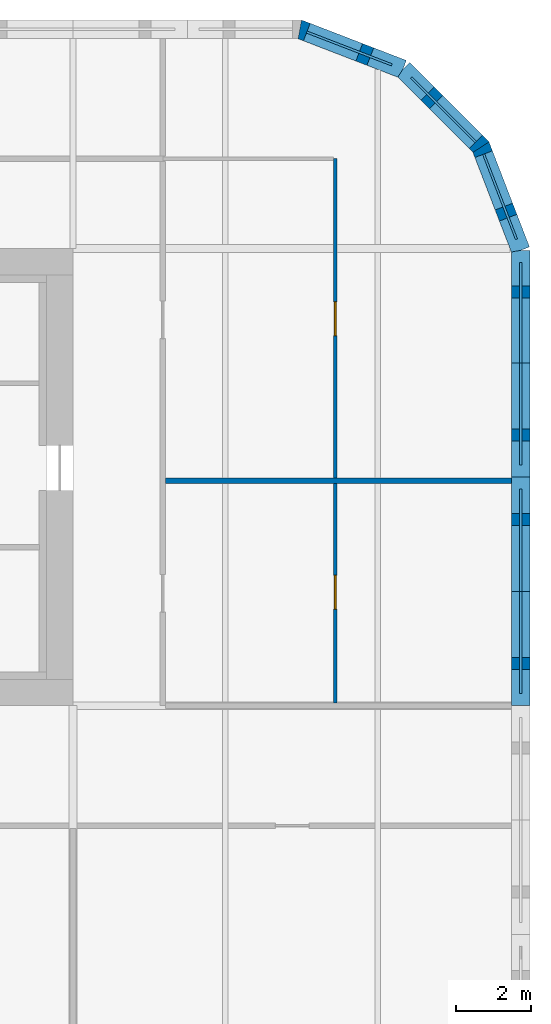
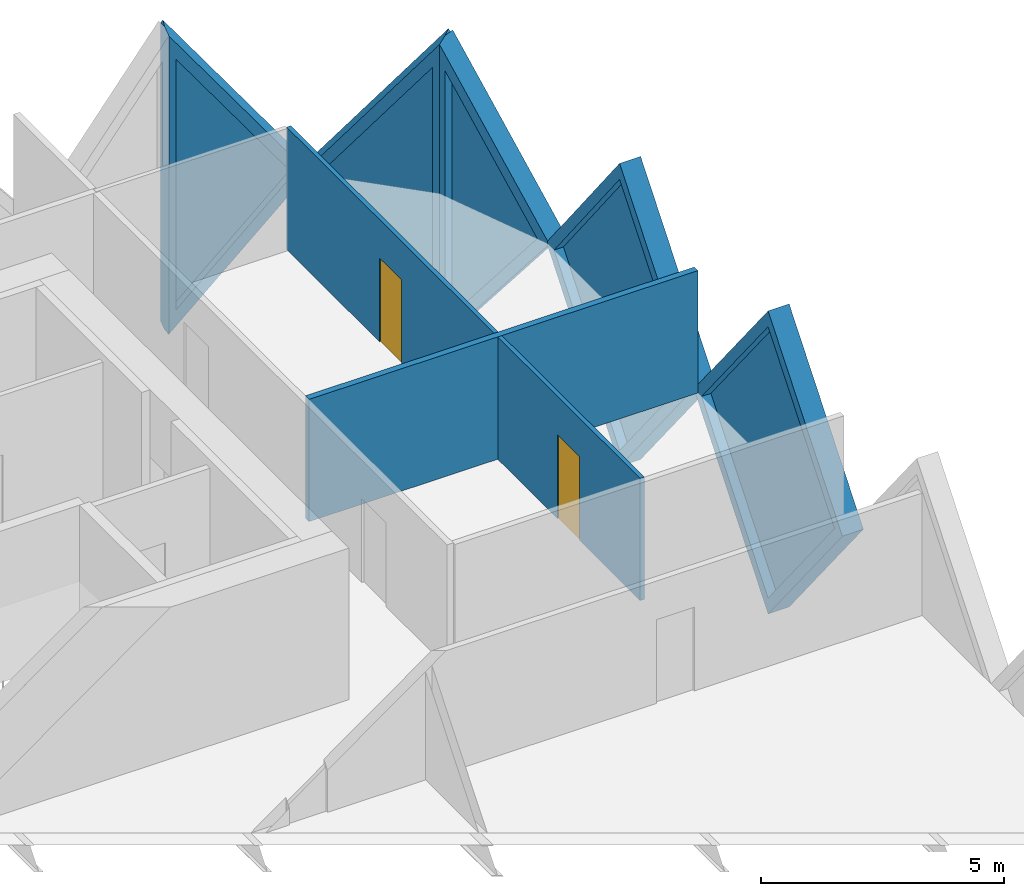
# One storey, part 15 of 18: 8 walls, 5 plates, 2 doors, 7 openings.
"""IFC4 building model written with IfcOpenShell, lengths in metres."""

from ifc_helpers import new_model, si_unit, direction, frame, frame_2d, origin, place, context, subcontext, project, spatial, polyline, rectangle, outline, extrude, faceted_brep, source, transform, mapped, material, layer, layer_set, type_object, element, fill, save


model = new_model("IFC4")

# Units and contexts
model_context = context("Model", 3, precision=1e-05, world=origin(), true_north=direction((0.0, 1.0)))
body_context = subcontext(model_context, "Body", "Model", "MODEL_VIEW")
ifc_project = project(units=[si_unit("LENGTHUNIT", "METRE"), si_unit("AREAUNIT", "SQUARE_METRE"), si_unit("VOLUMEUNIT", "CUBIC_METRE"), si_unit("PLANEANGLEUNIT", "RADIAN"), si_unit("MASSUNIT", "GRAM", prefix="KILO")], contexts=[model_context])

# Site, building, storey
site_placement = place(None, origin())
site = spatial("IfcSite", under=ifc_project, at=site_placement, CompositionType="ELEMENT")
building_placement = place(site_placement, origin())
building = spatial("IfcBuilding", under=site, at=building_placement, Name="Tessera Gate Towers", CompositionType="ELEMENT")
storey_placement = place(building_placement, frame((0.0, 0.0, 41.0)))
storey = spatial("IfcBuildingStorey", under=building, at=storey_placement, Name="L09", CompositionType="ELEMENT", Elevation=41.0)

# Wall, opening, door
ifc_material_1 = material(Name="Glass", Category="glass")
ifc_layer_1 = layer(ifc_material_1, 0.10009765625)
ifc_layer_set_1 = layer_set([ifc_layer_1], Name="GLAZED PARTITION 100")
wall_type_1 = type_object("IfcWallType", Name="GLAZED PARTITION 100", PredefinedType="PARTITIONING", material=ifc_layer_set_1)
wall_1_placement = place(storey_placement, frame((129.0, 42.52392578125, 0.0), z_axis=(0.0, 0.0, 1.0), x_axis=(0.0, -1.0, 0.0)))
wall_1 = element("IfcWall", 1, at=wall_1_placement, inside=storey, type_object=wall_type_1, Name="T2-L09-PW-016", PredefinedType="PARTITIONING", context=body_context, shape_type="SweptSolid", body=[
    extrude(rectangle(XDim=5.847900390625, YDim=0.10009765625, at=frame_2d((2.923828125, 0.0))), origin(), (0.0, 0.0, 1.0), 3.06689453125),
])
shared_shape_1 = source(origin(), body_context, "Body", "SweptSolid", [
    extrude(rectangle(XDim=0.89990234375, YDim=2.10009765625, at=frame_2d((0.449951171875, 1.050048828125))), frame((0.0, 0.06005859375, 0.0), z_axis=(0.0, -1.0, 0.0), x_axis=(1.0, 0.0, 0.0)), (0.0, 0.0, 1.0), 0.1201171875),
])
opening_1_placement = place(wall_1_placement, frame((2.447998046875, 0.0, 0.0)))
opening_1 = element("IfcOpeningElement", 2, at=opening_1_placement, cuts=wall_1, Name="Opening D690-B04-02", PredefinedType="OPENING", context=body_context, shape_type="MappedRepresentation", body=[
    mapped(shared_shape_1, transform((0.0, 0.0, 0.0), scale=1.0)),
])
ifc_material_2 = material(Name="Glass in aluminium frame", Category="aluminium")
door_type = type_object("IfcDoorType", Name="GLAZED DOOR 900 NOT RATED", OperationType="NOTDEFINED", PredefinedType="DOOR", material=ifc_material_2)
shared_shape_2 = source(origin(), body_context, "Body", "SweptSolid", [
    extrude(rectangle(XDim=0.89990234375, YDim=2.10009765625, at=frame_2d((0.449951171875, 1.050048828125))), frame((0.0, 0.02490234375, 0.0), z_axis=(0.0, -1.0, 0.0), x_axis=(1.0, 0.0, 0.0)), (0.0, 0.0, 1.0), 0.050048828125),
])
door_1_placement = place(opening_1_placement, origin())
door_1 = element("IfcDoor", 3, at=door_1_placement, inside=storey, type_object=door_type, Name="T2-L09-PD-007", OperationType="SINGLE_SWING_RIGHT", OverallHeight=2.10009765625, OverallWidth=0.89990234375, PredefinedType="DOOR", context=body_context, shape_type="MappedRepresentation", body=[
    mapped(shared_shape_2, transform((0.0, 0.0, 0.0), scale=1.0)),
])
fill(opening_1, door_1)

wall_2_placement = place(storey_placement, frame((129.0, 51.199951171875, 0.0), z_axis=(0.0, 0.0, 1.0), x_axis=(0.0, -1.0, 0.0)))
wall_2 = element("IfcWall", 4, at=wall_2_placement, inside=storey, type_object=wall_type_1, Name="T2-L09-PW-018", PredefinedType="PARTITIONING", context=body_context, shape_type="SweptSolid", body=[
    extrude(rectangle(XDim=8.52392578125, YDim=0.10009765625, at=frame_2d((4.261962890625, 0.0))), origin(), (0.0, 0.0, 1.0), 3.06689453125),
])
opening_2_placement = place(wall_2_placement, frame((3.823974609375, 0.0, 0.0)))
opening_2 = element("IfcOpeningElement", 5, at=opening_2_placement, cuts=wall_2, Name="Opening D690-B04-03", PredefinedType="OPENING", context=body_context, shape_type="MappedRepresentation", body=[
    mapped(shared_shape_1, transform((0.0, 0.0, 0.0), scale=1.0)),
])
door_2_placement = place(opening_2_placement, origin())
door_2 = element("IfcDoor", 6, at=door_2_placement, inside=storey, type_object=door_type, Name="T2-L09-PD-015", OperationType="SINGLE_SWING_RIGHT", OverallHeight=2.10009765625, OverallWidth=0.89990234375, PredefinedType="DOOR", context=body_context, shape_type="MappedRepresentation", body=[
    mapped(shared_shape_2, transform((0.0, 0.0, 0.0), scale=1.0)),
])
fill(opening_2, door_2)

# Wall
ifc_material_3 = material(Name="Gypsum board on steel studs, mineral wool", Category="steel")
ifc_layer_2 = layer(ifc_material_3, 0.14990234375)
ifc_layer_set_2 = layer_set([ifc_layer_2], Name="TENANCY WALL 150")
wall_type_2 = type_object("IfcWallType", Name="TENANCY WALL 150", PredefinedType="PARTITIONING", material=ifc_layer_set_2)
wall_3_placement = place(storey_placement, frame((124.47607421875, 42.60009765625, 0.0), z_axis=(0.0, 0.0, 1.0), x_axis=(1.0, 0.0, 0.0)))
element("IfcWall", 7, at=wall_3_placement, inside=storey, type_object=wall_type_2, Name="T2-L09-PW-017", PredefinedType="PARTITIONING", context=body_context, shape_type="SweptSolid", body=[
    extrude(rectangle(XDim=9.223876953125, YDim=0.14990234375, at=frame_2d((4.61181640625, 0.0))), origin(), (0.0, 0.0, 1.0), 3.06689453125),
])

# Wall, opening, plate
ifc_material_4 = material(Name="Precast concrete C60/75 white", Category="concrete")
ifc_layer_3 = layer(ifc_material_4, 0.5)
ifc_layer_set_3 = layer_set([ifc_layer_3], Name="TS1 tessera")
wall_type_3 = type_object("IfcWallType", Name="TS1 tessera", PredefinedType="SOLIDWALL", material=ifc_layer_set_3)
shared_shape_3 = source(origin(), body_context, "Body", "Brep", [
    faceted_brep([(3.050048828125, -0.25, 0.0), (6.099853515625, -0.25, 3.7998046875), (6.099853515625, -0.25, 3.80029296875), (3.050048828125, -0.25, 7.60009765625), (0.0, -0.25, 3.800048828125), (0.0, 0.25, 3.800048828125), (3.050048828125, 0.25, 7.60009765625), (6.099853515625, 0.25, 3.80029296875), (6.099853515625, 0.25, 3.7998046875), (3.050048828125, 0.25, 0.0)], [[[0, 1, 2, 3, 4]], [[5, 6, 7, 8, 9]], [[9, 8, 1, 0]], [[7, 6, 3, 2]], [[6, 5, 4, 3]], [[5, 9, 0, 4]], [[1, 8, 7, 2]]]),
])
wall_4_placement = place(storey_placement, frame((133.949951171875, 36.60009765625, -3.800048828125), z_axis=(0.0, 0.0, 1.0), x_axis=(0.0, 1.0, 0.0)))
wall_4 = element("IfcWall", 8, at=wall_4_placement, inside=storey, type_object=wall_type_3, Name="Precast tessera T2 TS1-0079", PredefinedType="SOLIDWALL", context=body_context, shape_type="MappedRepresentation", body=[
    mapped(shared_shape_3, transform((0.0, 0.0, 0.0), scale=1.0)),
])
shared_shape_4 = source(origin(), body_context, "Body", "SweptSolid", [
    extrude(outline(polyline([(3.050048828125, 0.3994140625), (5.779541015625, 3.800048828125), (3.050048828125, 7.20068359375), (0.320556640625, 3.800048828125), (3.050048828125, 0.3994140625)])), frame((0.0, 0.260009765625, 0.0), z_axis=(0.0, -1.0, 0.0), x_axis=(1.0, 0.0, 0.0)), (0.0, 0.0, 1.0), 0.52001953125),
])
opening_3_placement = place(wall_4_placement, origin())
opening_3 = element("IfcOpeningElement", 9, at=opening_3_placement, cuts=wall_4, Name="Opening T2-PL2-0149", PredefinedType="OPENING", context=body_context, shape_type="MappedRepresentation", body=[
    mapped(shared_shape_4, transform((0.0, 0.0, 0.0), scale=1.0)),
])
ifc_material_5 = material(Name="Low-e laminated glass", Category="glass")
ifc_layer_4 = layer(ifc_material_5, 0.06005859375)
ifc_layer_set_4 = layer_set([ifc_layer_4], Name="PL2 rhombic pane")
plate_type = type_object("IfcPlateType", Name="PL2 rhombic pane", PredefinedType="SHEET", material=ifc_layer_set_4)
shared_shape_5 = source(origin(), body_context, "Body", "SweptSolid", [
    extrude(outline(polyline([(3.050048828125, 0.3994140625), (5.779541015625, 3.800048828125), (3.050048828125, 7.20068359375), (0.320556640625, 3.800048828125), (3.050048828125, 0.3994140625)])), frame((0.0, 0.030029296875, 0.0), z_axis=(0.0, -1.0, 0.0), x_axis=(1.0, 0.0, 0.0)), (0.0, 0.0, 1.0), 0.06005859375),
])
plate_1_placement = place(opening_3_placement, origin())
plate_1 = element("IfcPlate", 10, at=plate_1_placement, inside=storey, type_object=plate_type, Name="Glass pane T2 PL2-0149", PredefinedType="SHEET", context=body_context, shape_type="MappedRepresentation", body=[
    mapped(shared_shape_5, transform((0.0, 0.0, 0.0), scale=1.0)),
])
fill(opening_3, plate_1)

shared_shape_6 = source(origin(), body_context, "Body", "Brep", [
    faceted_brep([(3.050048828125, -0.25, 0.0), (6.053466796875, -0.25, 3.800048828125), (3.050048828125, -0.25, 7.60009765625), (0.0, -0.25, 3.800048828125), (0.0, 0.25, 3.800048828125), (3.050048828125, 0.25, 7.60009765625), (6.0068359375, 0.25, 3.85888671875), (6.0068359375, 0.25, 3.7412109375), (3.050048828125, 0.25, 0.0), (6.053466796875, 0.0, 3.800048828125)], [[[0, 1, 2, 3]], [[4, 5, 6, 7, 8]], [[8, 7, 9, 1, 0]], [[6, 5, 2, 1, 9]], [[5, 4, 3, 2]], [[4, 8, 0, 3]], [[9, 7, 6]]]),
])
wall_5_placement = place(storey_placement, frame((133.949951171875, 42.699951171875, -3.800048828125), z_axis=(0.0, 0.0, 1.0), x_axis=(0.0, 1.0, 0.0)))
wall_5 = element("IfcWall", 11, at=wall_5_placement, inside=storey, type_object=wall_type_3, Name="Precast tessera T2 TS1-0080", PredefinedType="SOLIDWALL", context=body_context, shape_type="MappedRepresentation", body=[
    mapped(shared_shape_6, transform((0.0, 0.0, 0.0), scale=1.0)),
])
shared_shape_7 = source(origin(), body_context, "Body", "SweptSolid", [
    extrude(outline(polyline([(3.048583984375, 0.4013671875), (5.73486328125, 3.800048828125), (3.048583984375, 7.19873046875), (0.320556640625, 3.800048828125), (3.048583984375, 0.4013671875)])), frame((0.0, 0.260009765625, 0.0), z_axis=(0.0, -1.0, 0.0), x_axis=(1.0, 0.0, 0.0)), (0.0, 0.0, 1.0), 0.52001953125),
])
opening_4_placement = place(wall_5_placement, origin())
opening_4 = element("IfcOpeningElement", 12, at=opening_4_placement, cuts=wall_5, Name="Opening T2-PL2-0150", PredefinedType="OPENING", context=body_context, shape_type="MappedRepresentation", body=[
    mapped(shared_shape_7, transform((0.0, 0.0, 0.0), scale=1.0)),
])
shared_shape_8 = source(origin(), body_context, "Body", "SweptSolid", [
    extrude(outline(polyline([(3.048583984375, 0.4013671875), (5.73486328125, 3.800048828125), (3.048583984375, 7.19873046875), (0.320556640625, 3.800048828125), (3.048583984375, 0.4013671875)])), frame((0.0, 0.030029296875, 0.0), z_axis=(0.0, -1.0, 0.0), x_axis=(1.0, 0.0, 0.0)), (0.0, 0.0, 1.0), 0.06005859375),
])
plate_2_placement = place(opening_4_placement, origin())
plate_2 = element("IfcPlate", 13, at=plate_2_placement, inside=storey, type_object=plate_type, Name="Glass pane T2 PL2-0150", PredefinedType="SHEET", context=body_context, shape_type="MappedRepresentation", body=[
    mapped(shared_shape_8, transform((0.0, 0.0, 0.0), scale=1.0)),
])
fill(opening_4, plate_2)

ifc_material_6 = material(Name="Precast concrete C60/75 white", Category="concrete")
ifc_layer_5 = layer(ifc_material_6, 0.5)
ifc_layer_set_5 = layer_set([ifc_layer_5], Name="TS3 corner tessera")
wall_type_4 = type_object("IfcWallType", Name="TS3 corner tessera", PredefinedType="SOLIDWALL", material=ifc_layer_set_5)
shared_shape_9 = source(origin(), body_context, "Body", "Brep", [
    faceted_brep([(2.950439453125, -0.25, 0.0), (3.00341796875, -0.25, 0.068359375), (3.00341796875, -0.25, 7.53173828125), (2.950439453125, -0.25, 7.60009765625), (0.0, -0.25, 3.800048828125), (0.046630859375, 0.25, 3.860107421875), (2.897705078125, 0.25, 7.531982421875), (2.897705078125, 0.25, 0.068115234375), (0.046630859375, 0.25, 3.739990234375), (2.950439453125, 0.00048828125, 0.0), (2.950439453125, 0.00048828125, 7.60009765625), (0.0, 0.0, 3.800048828125)], [[[0, 1, 2, 3, 4]], [[5, 6, 7, 8]], [[1, 0, 9]], [[10, 3, 2]], [[6, 5, 11, 4, 3, 10]], [[8, 7, 9, 0, 4, 11]], [[8, 11, 5]], [[1, 9, 7, 6, 10, 2]]]),
])
wall_6_placement = place(storey_placement, frame((133.949951171875, 48.75341796875, -3.800048828125), z_axis=(0.0, 0.0, 1.0), x_axis=(-0.359855894603, 0.933007896601, 0.0)))
wall_6 = element("IfcWall", 14, at=wall_6_placement, inside=storey, type_object=wall_type_4, Name="Precast corner tessera T2 TS3-0119", PredefinedType="SOLIDWALL", context=body_context, shape_type="MappedRepresentation", body=[
    mapped(shared_shape_9, transform((0.0, 0.0, 0.0), scale=1.0)),
])
shared_shape_10 = source(origin(), body_context, "Body", "SweptSolid", [
    extrude(outline(polyline([(2.75048828125, 6.934814453125), (0.31640625, 3.800048828125), (2.75048828125, 0.665283203125), (2.75048828125, 6.934814453125)])), frame((0.0, 0.260009765625, 0.0), z_axis=(0.0, -1.0, 0.0), x_axis=(1.0, 0.0, 0.0)), (0.0, 0.0, 1.0), 0.52001953125),
])
opening_5_placement = place(wall_6_placement, origin())
opening_5 = element("IfcOpeningElement", 15, at=opening_5_placement, cuts=wall_6, Name="Opening T2-PL2-0151", PredefinedType="OPENING", context=body_context, shape_type="MappedRepresentation", body=[
    mapped(shared_shape_10, transform((0.0, 0.0, 0.0), scale=1.0)),
])
shared_shape_11 = source(origin(), body_context, "Body", "SweptSolid", [
    extrude(outline(polyline([(2.75048828125, 6.934814453125), (0.31640625, 3.800048828125), (2.75048828125, 0.665283203125), (2.75048828125, 6.934814453125)])), frame((0.0, 0.030029296875, 0.0), z_axis=(0.0, -1.0, 0.0), x_axis=(1.0, 0.0, 0.0)), (0.0, 0.0, 1.0), 0.06005859375),
])
plate_3_placement = place(opening_5_placement, origin())
plate_3 = element("IfcPlate", 16, at=plate_3_placement, inside=storey, type_object=plate_type, Name="Glass pane T2 PL2-0151", PredefinedType="SHEET", context=body_context, shape_type="MappedRepresentation", body=[
    mapped(shared_shape_11, transform((0.0, 0.0, 0.0), scale=1.0)),
])
fill(opening_5, plate_3)

shared_shape_12 = source(origin(), body_context, "Body", "Brep", [
    faceted_brep([(0.052978515625, -0.25, 0.0), (2.9970703125, -0.25, 3.800048828125), (0.052978515625, -0.25, 7.60009765625), (0.0, -0.25, 7.531982421875), (0.0, -0.25, 0.068115234375), (0.10595703125, 0.25, 7.53173828125), (2.944091796875, 0.25, 3.8681640625), (2.944091796875, 0.25, 3.73193359375), (0.10595703125, 0.25, 0.068359375), (2.9970703125, 0.000244140625, 3.800048828125), (0.052978515625, 0.0, 0.0), (0.052978515625, 0.0, 7.60009765625)], [[[0, 1, 2, 3, 4]], [[5, 6, 7, 8]], [[8, 7, 9, 1, 0, 10]], [[6, 5, 11, 2, 1, 9]], [[3, 2, 11]], [[10, 0, 4]], [[8, 10, 4, 3, 11, 5]], [[9, 7, 6]]]),
])
wall_7_placement = place(storey_placement, frame((132.925537109375, 51.46875, -3.800048828125), z_axis=(0.0, 0.0, 1.0), x_axis=(-0.707066050402, 0.707147509625, 0.0)))
wall_7 = element("IfcWall", 17, at=wall_7_placement, inside=storey, type_object=wall_type_4, Name="Precast corner tessera T2 TS3-0120", PredefinedType="SOLIDWALL", context=body_context, shape_type="MappedRepresentation", body=[
    mapped(shared_shape_12, transform((0.0, 0.0, 0.0), scale=1.0)),
])
shared_shape_13 = source(origin(), body_context, "Body", "SweptSolid", [
    extrude(outline(polyline([(0.2529296875, 0.666259765625), (2.680908203125, 3.800048828125), (0.2529296875, 6.933837890625), (0.2529296875, 0.666259765625)])), frame((0.0, 0.260009765625, 0.0), z_axis=(0.0, -1.0, 0.0), x_axis=(1.0, 0.0, 0.0)), (0.0, 0.0, 1.0), 0.52001953125),
])
opening_6_placement = place(wall_7_placement, origin())
opening_6 = element("IfcOpeningElement", 18, at=opening_6_placement, cuts=wall_7, Name="Opening T2-PL2-0152", PredefinedType="OPENING", context=body_context, shape_type="MappedRepresentation", body=[
    mapped(shared_shape_13, transform((0.0, 0.0, 0.0), scale=1.0)),
])
shared_shape_14 = source(origin(), body_context, "Body", "SweptSolid", [
    extrude(outline(polyline([(0.2529296875, 0.666259765625), (2.680908203125, 3.800048828125), (0.2529296875, 6.933837890625), (0.2529296875, 0.666259765625)])), frame((0.0, 0.030029296875, 0.0), z_axis=(0.0, -1.0, 0.0), x_axis=(1.0, 0.0, 0.0)), (0.0, 0.0, 1.0), 0.06005859375),
])
plate_4_placement = place(opening_6_placement, origin())
plate_4 = element("IfcPlate", 19, at=plate_4_placement, inside=storey, type_object=plate_type, Name="Glass pane T2 PL2-0152", PredefinedType="SHEET", context=body_context, shape_type="MappedRepresentation", body=[
    mapped(shared_shape_14, transform((0.0, 0.0, 0.0), scale=1.0)),
])
fill(opening_6, plate_4)

shared_shape_15 = source(origin(), body_context, "Body", "Brep", [
    faceted_brep([(2.950439453125, -0.25, 0.0), (2.9970703125, -0.25, 0.05908203125), (2.9970703125, -0.25, 7.541015625), (2.950439453125, -0.25, 7.60009765625), (0.0, -0.25, 3.800048828125), (0.052978515625, 0.25, 3.8681640625), (2.904052734375, 0.25, 7.540283203125), (2.904052734375, 0.25, 0.059814453125), (0.052978515625, 0.25, 3.73193359375), (2.950439453125, 0.00048828125, 0.0), (2.950439453125, 0.00048828125, 7.60009765625), (0.0, 0.0, 3.800048828125)], [[[0, 1, 2, 3, 4]], [[5, 6, 7, 8]], [[1, 0, 9]], [[10, 3, 2]], [[6, 5, 11, 4, 3, 10]], [[8, 7, 9, 0, 4, 11]], [[8, 11, 5]], [[1, 9, 7, 6, 10, 2]]]),
])
wall_8_placement = place(storey_placement, frame((130.80615234375, 53.588134765625, -3.800048828125), z_axis=(0.0, 0.0, 1.0), x_axis=(-0.932990326376, 0.359901446078, 0.0)))
wall_8 = element("IfcWall", 20, at=wall_8_placement, inside=storey, type_object=wall_type_4, Name="Precast corner tessera T2 TS3-0121", PredefinedType="SOLIDWALL", context=body_context, shape_type="MappedRepresentation", body=[
    mapped(shared_shape_15, transform((0.0, 0.0, 0.0), scale=1.0)),
])
opening_7_placement = place(wall_8_placement, origin())
opening_7 = element("IfcOpeningElement", 21, at=opening_7_placement, cuts=wall_8, Name="Opening T2-PL2-0153", PredefinedType="OPENING", context=body_context, shape_type="MappedRepresentation", body=[
    mapped(shared_shape_10, transform((0.0, 0.0, 0.0), scale=1.0)),
])
plate_5_placement = place(opening_7_placement, origin())
plate_5 = element("IfcPlate", 22, at=plate_5_placement, inside=storey, type_object=plate_type, Name="Glass pane T2 PL2-0153", PredefinedType="SHEET", context=body_context, shape_type="MappedRepresentation", body=[
    mapped(shared_shape_11, transform((0.0, 0.0, 0.0), scale=1.0)),
])
fill(opening_7, plate_5)

save(model, "model.ifc")
